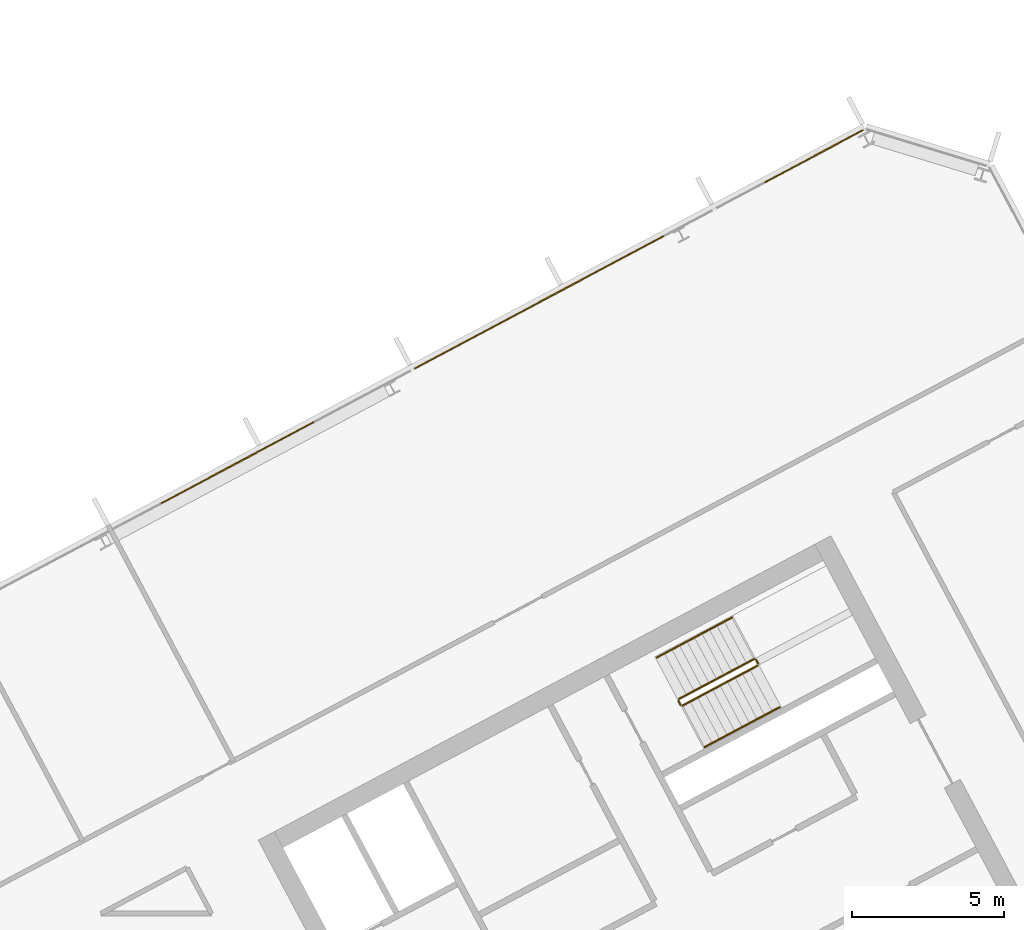
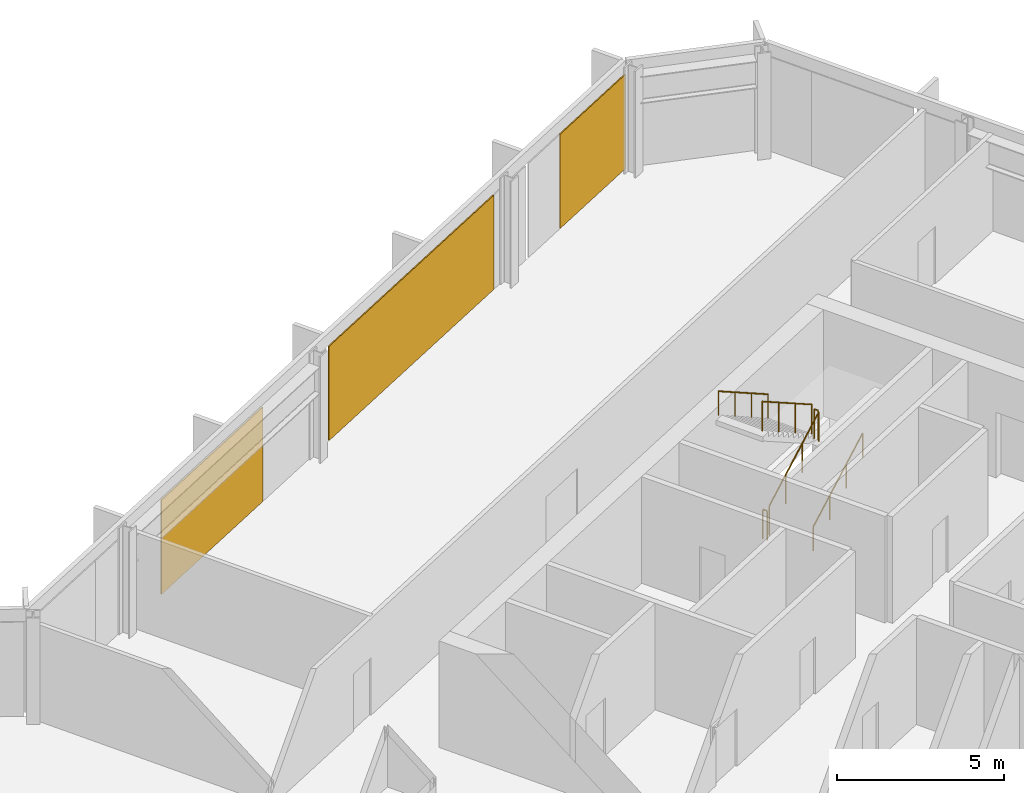
# One storey, part 26 of 27: 6 railings, 3 coverings, 1 element without a shape of its own.
"""IFC4 building model written with IfcOpenShell, lengths in metres."""

from ifc_helpers import new_model, si_unit, direction, frame, origin, origin_2d, place, context, subcontext, project, spatial, polyline, rectangle, outline, extrude, material, layer, layer_set, type_object, element, aggregate, save


model = new_model("IFC4")

# Units and contexts
model_context = context("Model", 3, precision=1e-05, world=origin(), true_north=direction((0.0, 1.0)))
body_context = subcontext(model_context, "Body", "Model", "MODEL_VIEW")
ifc_project = project(units=[si_unit("LENGTHUNIT", "METRE"), si_unit("AREAUNIT", "SQUARE_METRE"), si_unit("VOLUMEUNIT", "CUBIC_METRE"), si_unit("PLANEANGLEUNIT", "RADIAN"), si_unit("MASSUNIT", "GRAM", prefix="KILO")], contexts=[model_context])

# Site, building, storey
site_placement = place(None, origin())
site = spatial("IfcSite", under=ifc_project, at=site_placement, CompositionType="ELEMENT")
building_placement = place(site_placement, origin())
building = spatial("IfcBuilding", under=site, at=building_placement, Name="Cormorant Relay Tower", CompositionType="ELEMENT")
storey_placement = place(building_placement, frame((0.0, 0.0, 201.300048828125)))
storey = spatial("IfcBuildingStorey", under=building, at=storey_placement, Name="L43", CompositionType="ELEMENT", Elevation=201.300048828125)

# Curtain wall, coverings
ifc_material_1 = material(Name="Aluminium 6063-T6 anodised bronze", Category="aluminium")
ifc_layer_1 = layer(ifc_material_1, 0.199951171875)
ifc_layer_set_1 = layer_set([ifc_layer_1], Name="CW1 unitised bronze curtain wall with vertical fins")
curtain_wall_type = type_object("IfcCurtainWallType", Name="CW1 unitised bronze curtain wall with vertical fins", PredefinedType="NOTDEFINED", material=ifc_layer_set_1)
curtain_wall_placement = place(storey_placement, origin())
curtain_wall = element("IfcCurtainWall", 1, at=curtain_wall_placement, inside=storey, type_object=curtain_wall_type, Name="CW1 curtain wall 8", PredefinedType="NOTDEFINED")
ifc_material_2 = material(Name="Pale bronze anodised aluminium insulated panel", Category="aluminium")
ifc_layer_2 = layer(ifc_material_2, 0.0400390625)
ifc_layer_set_2 = layer_set([ifc_layer_2], Name="CW1 pale bronze insulated panel 40")
covering_type = type_object("IfcCoveringType", Name="CW1 pale bronze insulated panel 40", PredefinedType="CLADDING", material=ifc_layer_set_2)
covering_1_placement = place(storey_placement, frame((28.16943359375, 38.78466796875, 0.0), z_axis=(0.0, 0.0, 1.0), x_axis=(-0.882947592859, -0.469471562786, 0.0)))
covering_1 = element("IfcCovering", 2, at=covering_1_placement, type_object=covering_type, Name="CW1 panel S00", PredefinedType="CLADDING", context=body_context, shape_type="SweptSolid", body=[
    extrude(rectangle(XDim=3.68896484375, YDim=0.0400390625, at=origin_2d()), origin(), (0.0, 0.0, 1.0), 3.449951171875),
])
covering_2_placement = place(storey_placement, frame((19.11181640625, 33.968505859375, 0.0), z_axis=(0.0, 0.0, 1.0), x_axis=(-0.882947592859, -0.469471562786, 0.0)))
covering_2 = element("IfcCovering", 3, at=covering_2_placement, type_object=covering_type, Name="CW1 panel S03", PredefinedType="CLADDING", context=body_context, shape_type="SweptSolid", body=[
    extrude(rectangle(XDim=9.327880859375, YDim=0.0400390625, at=origin_2d()), origin(), (0.0, 0.0, 1.0), 3.449951171875),
])
covering_3_placement = place(storey_placement, frame((9.15380859375, 28.673828125, 0.0), z_axis=(0.0, 0.0, 1.0), x_axis=(-0.882947592859, -0.469471562786, 0.0)))
covering_3 = element("IfcCovering", 4, at=covering_3_placement, type_object=covering_type, Name="CW1 panel S05", PredefinedType="CLADDING", context=body_context, shape_type="SweptSolid", body=[
    extrude(rectangle(XDim=5.72802734375, YDim=0.0400390625, at=origin_2d()), origin(), (0.0, 0.0, 1.0), 3.449951171875),
])
aggregate(curtain_wall, [covering_1, covering_2, covering_3])

# Railings
ifc_material_3 = material(Name="Steel ASTM A572 Grade 50 (Fy 345 MPa)", Category="steel")
railing_type_1 = type_object("IfcRailingType", Name="Stair guard 1100", PredefinedType="GUARDRAIL", material=ifc_material_3)
railing_1_placement = place(storey_placement, frame((23.8408203125, 20.6611328125, 0.17724609375)))
element("IfcRailing", 5, at=railing_1_placement, inside=storey, type_object=railing_type_1, Name="L43 B2 stair guard 1", PredefinedType="GUARDRAIL", context=body_context, shape_type="SweptSolid", body=[
    extrude(outline(polyline([(0.022216796875, 0.00927734375), (0.00927734375, 0.022216796875), (-0.00927734375, 0.022216796875), (-0.022216796875, 0.00927734375), (-0.022216796875, -0.00927734375), (-0.00927734375, -0.022216796875), (0.00927734375, -0.022216796875), (0.022216796875, -0.00927734375), (0.022216796875, 0.00927734375)])), frame((0.0, 0.0, 1.076171875), z_axis=(0.746033882577, 0.396627473466, 0.534901947407), x_axis=(-0.469429322983, 0.882970050864, 0.0)), (0.0, 0.0, 1.0), 3.31396484375),
    extrude(outline(polyline([(0.019287109375, 0.008056640625), (0.008056640625, 0.019287109375), (-0.008056640625, 0.019287109375), (-0.019287109375, 0.008056640625), (-0.019287109375, -0.008056640625), (-0.008056640625, -0.019287109375), (0.008056640625, -0.019287109375), (0.019287109375, -0.008056640625), (0.019287109375, 0.008056640625)])), origin(), (0.0, 0.0, 1.0), 1.052001953125),
    extrude(outline(polyline([(0.019287109375, 0.008056640625), (0.008056640625, 0.019287109375), (-0.008056640625, 0.019287109375), (-0.019287109375, 0.008056640625), (-0.019287109375, -0.008056640625), (-0.008056640625, -0.019287109375), (0.008056640625, -0.019287109375), (0.019287109375, -0.008056640625), (0.019287109375, 0.008056640625)])), frame((0.82421875, 0.438232421875, 0.5908203125)), (0.0, 0.0, 1.0), 1.052001953125),
    extrude(outline(polyline([(0.019287109375, 0.008056640625), (0.008056640625, 0.019287109375), (-0.008056640625, 0.019287109375), (-0.019287109375, 0.008056640625), (-0.019287109375, -0.008056640625), (-0.008056640625, -0.019287109375), (0.008056640625, -0.019287109375), (0.019287109375, -0.008056640625), (0.019287109375, 0.008056640625)])), frame((1.648193359375, 0.876220703125, 1.181884765625)), (0.0, 0.0, 1.0), 1.052001953125),
    extrude(outline(polyline([(0.019287109375, 0.008056640625), (0.008056640625, 0.019287109375), (-0.008056640625, 0.019287109375), (-0.019287109375, 0.008056640625), (-0.019287109375, -0.008056640625), (-0.008056640625, -0.019287109375), (0.008056640625, -0.019287109375), (0.019287109375, -0.008056640625), (0.019287109375, 0.008056640625)])), frame((2.472412109375, 1.314453125, 1.772705078125)), (0.0, 0.0, 1.0), 1.052001953125),
])
railing_2_placement = place(storey_placement, frame((26.333740234375, 22.043212890625, 1.949951171875)))
element("IfcRailing", 6, at=railing_2_placement, inside=storey, type_object=railing_type_1, Name="L43 B2 stair guard 2", PredefinedType="GUARDRAIL", context=body_context, shape_type="SweptSolid", body=[
    extrude(outline(polyline([(0.022216796875, 0.00927734375), (0.00927734375, 0.022216796875), (-0.00927734375, 0.022216796875), (-0.022216796875, 0.00927734375), (-0.022216796875, -0.00927734375), (-0.00927734375, -0.022216796875), (0.00927734375, -0.022216796875), (0.022216796875, -0.00927734375), (0.022216796875, 0.00927734375)])), frame((0.0, 0.0, 1.076171875), z_axis=(-0.469234640946, 0.883073525669, 0.0), x_axis=(-0.883073525669, -0.469234640946, 0.0)), (0.0, 0.0, 1.0), 0.14990234375),
    extrude(outline(polyline([(0.019287109375, 0.008056640625), (0.008056640625, 0.019287109375), (-0.008056640625, 0.019287109375), (-0.019287109375, 0.008056640625), (-0.019287109375, -0.008056640625), (-0.008056640625, -0.019287109375), (0.008056640625, -0.019287109375), (0.019287109375, -0.008056640625), (0.019287109375, 0.008056640625)])), origin(), (0.0, 0.0, 1.0), 1.052001953125),
    extrude(outline(polyline([(0.019287109375, 0.008056640625), (0.008056640625, 0.019287109375), (-0.008056640625, 0.019287109375), (-0.019287109375, 0.008056640625), (-0.019287109375, -0.008056640625), (-0.008056640625, -0.019287109375), (0.008056640625, -0.019287109375), (0.019287109375, -0.008056640625), (0.019287109375, 0.008056640625)])), frame((-0.0703125, 0.13232421875, 0.0)), (0.0, 0.0, 1.0), 1.052001953125),
])
railing_3_placement = place(storey_placement, frame((26.19580078125, 22.1962890625, 2.127197265625)))
element("IfcRailing", 7, at=railing_3_placement, inside=storey, type_object=railing_type_1, Name="L43 B2 stair guard 3", PredefinedType="GUARDRAIL", context=body_context, shape_type="SweptSolid", body=[
    extrude(outline(polyline([(0.022216796875, 0.00927734375), (0.00927734375, 0.022216796875), (-0.00927734375, 0.022216796875), (-0.022216796875, 0.00927734375), (-0.022216796875, -0.00927734375), (-0.00927734375, -0.022216796875), (0.00927734375, -0.022216796875), (0.022216796875, -0.00927734375), (0.022216796875, 0.00927734375)])), frame((0.0, 0.0, 1.076171875), z_axis=(-0.746033882577, -0.396627473466, 0.534901947407), x_axis=(0.469429322983, -0.882970050864, 0.0)), (0.0, 0.0, 1.0), 3.31396484375),
    extrude(outline(polyline([(0.019287109375, 0.008056640625), (0.008056640625, 0.019287109375), (-0.008056640625, 0.019287109375), (-0.019287109375, 0.008056640625), (-0.019287109375, -0.008056640625), (-0.008056640625, -0.019287109375), (0.008056640625, -0.019287109375), (0.019287109375, -0.008056640625), (0.019287109375, 0.008056640625)])), origin(), (0.0, 0.0, 1.0), 1.052001953125),
    extrude(outline(polyline([(0.019287109375, 0.008056640625), (0.008056640625, 0.019287109375), (-0.008056640625, 0.019287109375), (-0.019287109375, 0.008056640625), (-0.019287109375, -0.008056640625), (-0.008056640625, -0.019287109375), (0.008056640625, -0.019287109375), (0.019287109375, -0.008056640625), (0.019287109375, 0.008056640625)])), frame((-0.82421875, -0.438232421875, 0.5908203125)), (0.0, 0.0, 1.0), 1.052001953125),
    extrude(outline(polyline([(0.019287109375, 0.008056640625), (0.008056640625, 0.019287109375), (-0.008056640625, 0.019287109375), (-0.019287109375, 0.008056640625), (-0.019287109375, -0.008056640625), (-0.008056640625, -0.019287109375), (0.008056640625, -0.019287109375), (0.019287109375, -0.008056640625), (0.019287109375, 0.008056640625)])), frame((-1.648193359375, -0.876220703125, 1.181884765625)), (0.0, 0.0, 1.0), 1.052001953125),
    extrude(outline(polyline([(0.019287109375, 0.008056640625), (0.008056640625, 0.019287109375), (-0.008056640625, 0.019287109375), (-0.019287109375, 0.008056640625), (-0.019287109375, -0.008056640625), (-0.008056640625, -0.019287109375), (0.008056640625, -0.019287109375), (0.019287109375, -0.008056640625), (0.019287109375, 0.008056640625)])), frame((-2.472412109375, -1.314453125, 1.772705078125)), (0.0, 0.0, 1.0), 1.052001953125),
])
railing_4_placement = place(storey_placement, frame((23.773193359375, 20.681640625, 0.0)))
element("IfcRailing", 8, at=railing_4_placement, inside=storey, type_object=railing_type_1, Name="L43 B2 stair guard 4", PredefinedType="GUARDRAIL", context=body_context, shape_type="SweptSolid", body=[
    extrude(outline(polyline([(0.022216796875, 0.00927734375), (0.00927734375, 0.022216796875), (-0.00927734375, 0.022216796875), (-0.022216796875, 0.00927734375), (-0.022216796875, -0.00927734375), (-0.00927734375, -0.022216796875), (0.00927734375, -0.022216796875), (0.022216796875, -0.00927734375), (0.022216796875, 0.00927734375)])), frame((0.0, 0.0, 1.076171875), z_axis=(-0.46856034887, 0.8834314911, 0.0), x_axis=(-0.8834314911, -0.46856034887, 0.0)), (0.0, 0.0, 1.0), 0.150146484375),
    extrude(outline(polyline([(0.019287109375, 0.008056640625), (0.008056640625, 0.019287109375), (-0.008056640625, 0.019287109375), (-0.019287109375, 0.008056640625), (-0.019287109375, -0.008056640625), (-0.008056640625, -0.019287109375), (0.008056640625, -0.019287109375), (0.019287109375, -0.008056640625), (0.019287109375, 0.008056640625)])), origin(), (0.0, 0.0, 1.0), 1.052001953125),
    extrude(outline(polyline([(0.019287109375, 0.008056640625), (0.008056640625, 0.019287109375), (-0.008056640625, 0.019287109375), (-0.019287109375, 0.008056640625), (-0.019287109375, -0.008056640625), (-0.008056640625, -0.019287109375), (0.008056640625, -0.019287109375), (0.019287109375, -0.008056640625), (0.019287109375, 0.008056640625)])), frame((-0.0703125, 0.132568359375, 0.0)), (0.0, 0.0, 1.0), 1.052001953125),
])
ifc_material_4 = material(Name="Steel ASTM A572 Grade 50 (Fy 345 MPa)", Category="steel")
railing_type_2 = type_object("IfcRailingType", Name="Stair handrail 900", PredefinedType="HANDRAIL", material=ifc_material_4)
railing_5_placement = place(storey_placement, frame((24.568603515625, 19.29248046875, 0.17724609375)))
element("IfcRailing", 9, at=railing_5_placement, inside=storey, type_object=railing_type_2, Name="L43 B2 stair handrail 1", PredefinedType="HANDRAIL", context=body_context, shape_type="SweptSolid", body=[
    extrude(outline(polyline([(0.022216796875, 0.00927734375), (0.00927734375, 0.022216796875), (-0.00927734375, 0.022216796875), (-0.022216796875, 0.00927734375), (-0.022216796875, -0.00927734375), (-0.00927734375, -0.022216796875), (0.00927734375, -0.022216796875), (0.022216796875, -0.00927734375), (0.022216796875, 0.00927734375)])), frame((0.0, 0.0, 0.8759765625), z_axis=(0.746001213114, 0.396649272309, 0.534931345884), x_axis=(-0.469465464807, 0.882950835185, 0.0)), (0.0, 0.0, 1.0), 3.31396484375),
    extrude(outline(polyline([(0.019287109375, 0.008056640625), (0.008056640625, 0.019287109375), (-0.008056640625, 0.019287109375), (-0.019287109375, 0.008056640625), (-0.019287109375, -0.008056640625), (-0.008056640625, -0.019287109375), (0.008056640625, -0.019287109375), (0.019287109375, -0.008056640625), (0.019287109375, 0.008056640625)])), origin(), (0.0, 0.0, 1.0), 0.851806640625),
    extrude(outline(polyline([(0.019287109375, 0.008056640625), (0.008056640625, 0.019287109375), (-0.008056640625, 0.019287109375), (-0.019287109375, 0.008056640625), (-0.019287109375, -0.008056640625), (-0.008056640625, -0.019287109375), (0.008056640625, -0.019287109375), (0.019287109375, -0.008056640625), (0.019287109375, 0.008056640625)])), frame((0.823974609375, 0.438232421875, 0.5908203125)), (0.0, 0.0, 1.0), 0.851806640625),
    extrude(outline(polyline([(0.019287109375, 0.008056640625), (0.008056640625, 0.019287109375), (-0.008056640625, 0.019287109375), (-0.019287109375, 0.008056640625), (-0.019287109375, -0.008056640625), (-0.008056640625, -0.019287109375), (0.008056640625, -0.019287109375), (0.019287109375, -0.008056640625), (0.019287109375, 0.008056640625)])), frame((1.648193359375, 0.876220703125, 1.181884765625)), (0.0, 0.0, 1.0), 0.851806640625),
    extrude(outline(polyline([(0.019287109375, 0.008056640625), (0.008056640625, 0.019287109375), (-0.008056640625, 0.019287109375), (-0.019287109375, 0.008056640625), (-0.019287109375, -0.008056640625), (-0.008056640625, -0.019287109375), (0.008056640625, -0.019287109375), (0.019287109375, -0.008056640625), (0.019287109375, 0.008056640625)])), frame((2.47216796875, 1.314453125, 1.772705078125)), (0.0, 0.0, 1.0), 0.851806640625),
])
railing_6_placement = place(storey_placement, frame((25.468017578125, 23.56494140625, 2.127197265625)))
element("IfcRailing", 10, at=railing_6_placement, inside=storey, type_object=railing_type_2, Name="L43 B2 stair handrail 2", PredefinedType="HANDRAIL", context=body_context, shape_type="SweptSolid", body=[
    extrude(outline(polyline([(0.022216796875, 0.00927734375), (0.00927734375, 0.022216796875), (-0.00927734375, 0.022216796875), (-0.022216796875, 0.00927734375), (-0.022216796875, -0.00927734375), (-0.00927734375, -0.022216796875), (0.00927734375, -0.022216796875), (0.022216796875, -0.00927734375), (0.022216796875, 0.00927734375)])), frame((0.0, 0.0, 0.8759765625), z_axis=(-0.745979412481, -0.396711350603, 0.534915713414), x_axis=(0.469533439143, -0.882914689835, 0.0)), (0.0, 0.0, 1.0), 3.31396484375),
    extrude(outline(polyline([(0.019287109375, 0.008056640625), (0.008056640625, 0.019287109375), (-0.008056640625, 0.019287109375), (-0.019287109375, 0.008056640625), (-0.019287109375, -0.008056640625), (-0.008056640625, -0.019287109375), (0.008056640625, -0.019287109375), (0.019287109375, -0.008056640625), (0.019287109375, 0.008056640625)])), origin(), (0.0, 0.0, 1.0), 0.851806640625),
    extrude(outline(polyline([(0.019287109375, 0.008056640625), (0.008056640625, 0.019287109375), (-0.008056640625, 0.019287109375), (-0.019287109375, 0.008056640625), (-0.019287109375, -0.008056640625), (-0.008056640625, -0.019287109375), (0.008056640625, -0.019287109375), (0.019287109375, -0.008056640625), (0.019287109375, 0.008056640625)])), frame((-0.823974609375, -0.438232421875, 0.5908203125)), (0.0, 0.0, 1.0), 0.851806640625),
    extrude(outline(polyline([(0.019287109375, 0.008056640625), (0.008056640625, 0.019287109375), (-0.008056640625, 0.019287109375), (-0.019287109375, 0.008056640625), (-0.019287109375, -0.008056640625), (-0.008056640625, -0.019287109375), (0.008056640625, -0.019287109375), (0.019287109375, -0.008056640625), (0.019287109375, 0.008056640625)])), frame((-1.648193359375, -0.87646484375, 1.181884765625)), (0.0, 0.0, 1.0), 0.851806640625),
    extrude(outline(polyline([(0.019287109375, 0.008056640625), (0.008056640625, 0.019287109375), (-0.008056640625, 0.019287109375), (-0.019287109375, 0.008056640625), (-0.019287109375, -0.008056640625), (-0.008056640625, -0.019287109375), (0.008056640625, -0.019287109375), (0.019287109375, -0.008056640625), (0.019287109375, 0.008056640625)])), frame((-2.47216796875, -1.314697265625, 1.772705078125)), (0.0, 0.0, 1.0), 0.851806640625),
])

save(model, "model.ifc")
